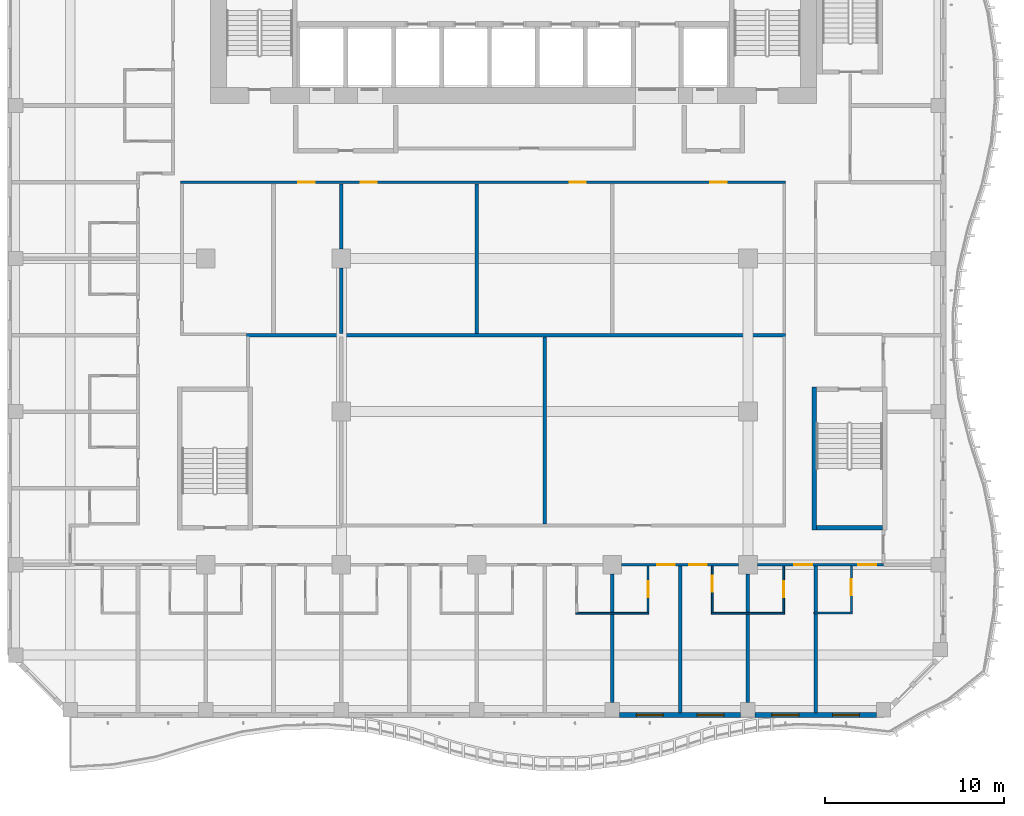
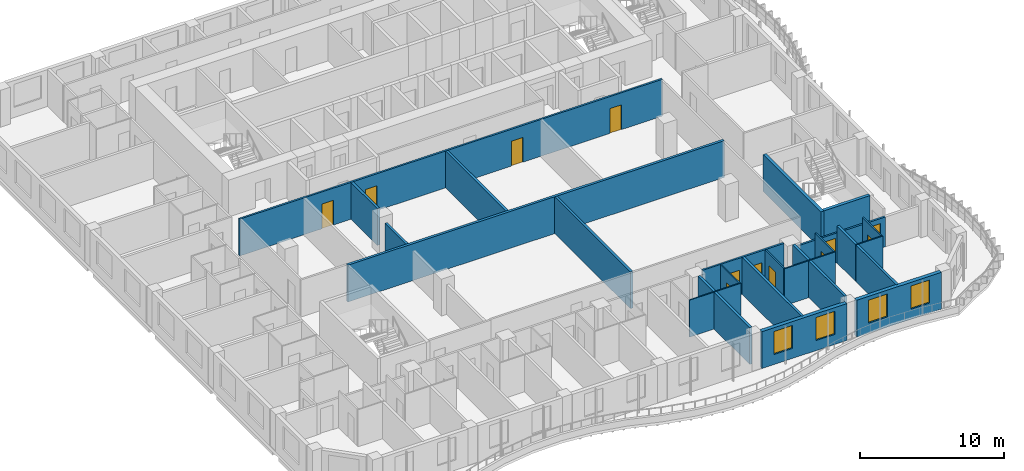
# One storey, part 5 of 22: 26 walls, 12 doors, 4 windows, 16 openings.
"""IFC4 building model written with IfcOpenShell, lengths in metres."""

from ifc_helpers import new_model, si_unit, direction, frame, frame_2d, origin, place, context, subcontext, project, spatial, rectangle, extrude, source, transform, mapped, material, layer, layer_set, type_object, element, fill, save


model = new_model("IFC4")

# Units and contexts
model_context = context("Model", 3, precision=1e-05, world=origin(), true_north=direction((0.0, 1.0)))
body_context = subcontext(model_context, "Body", "Model", "MODEL_VIEW")
ifc_project = project(units=[si_unit("LENGTHUNIT", "METRE"), si_unit("AREAUNIT", "SQUARE_METRE"), si_unit("VOLUMEUNIT", "CUBIC_METRE"), si_unit("PLANEANGLEUNIT", "RADIAN"), si_unit("MASSUNIT", "GRAM", prefix="KILO")], contexts=[model_context])

# Site, building, storey
site_placement = place(None, origin())
site = spatial("IfcSite", under=ifc_project, at=site_placement, CompositionType="ELEMENT")
building_placement = place(site_placement, origin())
building = spatial("IfcBuilding", under=site, at=building_placement, Name="Kilnfold Tower and Market Hall", CompositionType="ELEMENT")
storey_placement = place(building_placement, frame((0.0, 0.0, 171.89990234375)))
storey = spatial("IfcBuildingStorey", under=building, at=storey_placement, Name="L40", CompositionType="ELEMENT", Elevation=171.89990234375)

# Wall, openings, doors
ifc_material_1 = material(Name="Gypsum board on steel studs", Category="steel")
ifc_layer_1 = layer(ifc_material_1, 0.14990234375)
ifc_layer_set_1 = layer_set([ifc_layer_1], Name="Gypsum board on steel studs")
wall_type_1 = type_object("IfcWallType", Name="WALL CORRIDOR 150", PredefinedType="PARTITIONING", material=ifc_layer_set_1)
wall_1_placement = place(storey_placement, frame((7.10791015625, -17.699951171875, 0.0), z_axis=(0.0, 0.0, 1.0), x_axis=(1.0, 0.0, 0.0)))
wall_1 = element("IfcWall", 1, at=wall_1_placement, inside=storey, type_object=wall_type_1, Name="Partition LY26.5", PredefinedType="PARTITIONING", context=body_context, shape_type="SweptSolid", body=[
    extrude(rectangle(XDim=6.5341796875, YDim=0.14990234375, at=frame_2d((3.26708984375, 0.0))), origin(), (0.0, 0.0, 1.0), 3.1201171875),
])
opening_1_placement = place(wall_1_placement, frame((1.97412109375, 0.0, 0.0)))
opening_1 = element("IfcOpeningElement", 2, at=opening_1_placement, cuts=wall_1, Name="Opening D1", PredefinedType="OPENING", context=body_context, shape_type="SweptSolid", body=[
    extrude(rectangle(XDim=1.0, YDim=2.10009765625, at=frame_2d((0.5, 1.050048828125))), frame((0.0, 0.0849609375, 0.0), z_axis=(0.0, -1.0, 0.0), x_axis=(1.0, 0.0, 0.0)), (0.0, 0.0, 1.0), 0.169921875),
])
opening_2_placement = place(wall_1_placement, frame((3.76611328125, 0.0, 0.0)))
opening_2 = element("IfcOpeningElement", 3, at=opening_2_placement, cuts=wall_1, Name="Opening D1", PredefinedType="OPENING", context=body_context, shape_type="SweptSolid", body=[
    extrude(rectangle(XDim=1.0, YDim=2.10009765625, at=frame_2d((0.5, 1.050048828125))), frame((0.0, 0.0849609375, 0.0), z_axis=(0.0, -1.0, 0.0), x_axis=(1.0, 0.0, 0.0)), (0.0, 0.0, 1.0), 0.169921875),
])
ifc_material_2 = material(Name="Timber veneer door leaf in steel frame", Category="steel")
door_type_1 = type_object("IfcDoorType", Name="DOOR ENTRY 1000 X2100", OperationType="NOTDEFINED", PredefinedType="DOOR", material=ifc_material_2)
door_1_placement = place(opening_1_placement, origin())
door_1 = element("IfcDoor", 4, at=door_1_placement, inside=storey, type_object=door_type_1, Name="Door D1", OperationType="SINGLE_SWING_RIGHT", OverallHeight=2.10009765625, OverallWidth=1.0, PredefinedType="DOOR", context=body_context, shape_type="SweptSolid", body=[
    extrude(rectangle(XDim=1.0, YDim=2.10009765625, at=frame_2d((0.5, 1.050048828125))), frame((0.0, 0.02490234375, 0.0), z_axis=(0.0, -1.0, 0.0), x_axis=(1.0, 0.0, 0.0)), (0.0, 0.0, 1.0), 0.050048828125),
])
fill(opening_1, door_1)
door_2_placement = place(opening_2_placement, origin())
door_2 = element("IfcDoor", 5, at=door_2_placement, inside=storey, type_object=door_type_1, Name="Door D1", OperationType="SINGLE_SWING_RIGHT", OverallHeight=2.10009765625, OverallWidth=1.0, PredefinedType="DOOR", context=body_context, shape_type="SweptSolid", body=[
    extrude(rectangle(XDim=1.0, YDim=2.10009765625, at=frame_2d((0.5, 1.050048828125))), frame((0.0, 0.02490234375, 0.0), z_axis=(0.0, -1.0, 0.0), x_axis=(1.0, 0.0, 0.0)), (0.0, 0.0, 1.0), 0.050048828125),
])
fill(opening_2, door_2)

wall_2_placement = place(storey_placement, frame((14.69189453125, -17.699951171875, 0.0), z_axis=(0.0, 0.0, 1.0), x_axis=(1.0, 0.0, 0.0)))
wall_2 = element("IfcWall", 6, at=wall_2_placement, inside=storey, type_object=wall_type_1, Name="Partition LY26.6", PredefinedType="PARTITIONING", context=body_context, shape_type="SweptSolid", body=[
    extrude(rectangle(XDim=7.05810546875, YDim=0.14990234375, at=frame_2d((3.529052734375, 0.0))), origin(), (0.0, 0.0, 1.0), 2.52001953125),
])
opening_3_placement = place(wall_2_placement, frame((2.076904296875, 0.0, 0.0)))
opening_3 = element("IfcOpeningElement", 7, at=opening_3_placement, cuts=wall_2, Name="Opening D1", PredefinedType="OPENING", context=body_context, shape_type="SweptSolid", body=[
    extrude(rectangle(XDim=1.0, YDim=2.10009765625, at=frame_2d((0.5, 1.050048828125))), frame((0.0, 0.0849609375, 0.0), z_axis=(0.0, -1.0, 0.0), x_axis=(1.0, 0.0, 0.0)), (0.0, 0.0, 1.0), 0.169921875),
])
opening_4_placement = place(wall_2_placement, frame((5.656982421875, 0.0, 0.0)))
opening_4 = element("IfcOpeningElement", 8, at=opening_4_placement, cuts=wall_2, Name="Opening D1", PredefinedType="OPENING", context=body_context, shape_type="SweptSolid", body=[
    extrude(rectangle(XDim=1.0, YDim=2.10009765625, at=frame_2d((0.5, 1.050048828125))), frame((0.0, 0.0849609375, 0.0), z_axis=(0.0, -1.0, 0.0), x_axis=(1.0, 0.0, 0.0)), (0.0, 0.0, 1.0), 0.169921875),
])
door_3_placement = place(opening_3_placement, origin())
door_3 = element("IfcDoor", 9, at=door_3_placement, inside=storey, type_object=door_type_1, Name="Door D1", OperationType="SINGLE_SWING_LEFT", OverallHeight=2.10009765625, OverallWidth=1.0, PredefinedType="DOOR", context=body_context, shape_type="SweptSolid", body=[
    extrude(rectangle(XDim=1.0, YDim=2.10009765625, at=frame_2d((0.5, 1.050048828125))), frame((0.0, 0.02490234375, 0.0), z_axis=(0.0, -1.0, 0.0), x_axis=(1.0, 0.0, 0.0)), (0.0, 0.0, 1.0), 0.050048828125),
])
fill(opening_3, door_3)
door_4_placement = place(opening_4_placement, origin())
door_4 = element("IfcDoor", 10, at=door_4_placement, inside=storey, type_object=door_type_1, Name="Door D1", OperationType="SINGLE_SWING_LEFT", OverallHeight=2.10009765625, OverallWidth=1.0, PredefinedType="DOOR", context=body_context, shape_type="SweptSolid", body=[
    extrude(rectangle(XDim=1.0, YDim=2.10009765625, at=frame_2d((0.5, 1.050048828125))), frame((0.0, 0.02490234375, 0.0), z_axis=(0.0, -1.0, 0.0), x_axis=(1.0, 0.0, 0.0)), (0.0, 0.0, 1.0), 0.050048828125),
])
fill(opening_4, door_4)

wall_3_placement = place(storey_placement, frame((-17.574951171875, 3.699951171875, 0.0), z_axis=(0.0, 0.0, 1.0), x_axis=(1.0, 0.0, 0.0)))
wall_3 = element("IfcWall", 11, at=wall_3_placement, inside=storey, type_object=wall_type_1, Name="Partition LY26.42", PredefinedType="PARTITIONING", context=body_context, shape_type="SweptSolid", body=[
    extrude(rectangle(XDim=33.849853515625, YDim=0.14990234375, at=frame_2d((16.9248046875, 0.0))), origin(), (0.0, 0.0, 1.0), 3.1201171875),
])
opening_5_placement = place(wall_3_placement, frame((6.595947265625, 0.0, 0.0)))
opening_5 = element("IfcOpeningElement", 12, at=opening_5_placement, cuts=wall_3, Name="Opening D2", PredefinedType="OPENING", context=body_context, shape_type="SweptSolid", body=[
    extrude(rectangle(XDim=0.89990234375, YDim=2.10009765625, at=frame_2d((0.449951171875, 1.050048828125))), frame((0.0, 0.0849609375, 0.0), z_axis=(0.0, -1.0, 0.0), x_axis=(1.0, 0.0, 0.0)), (0.0, 0.0, 1.0), 0.169921875),
])
opening_6_placement = place(wall_3_placement, frame((10.08203125, 0.0, 0.0)))
opening_6 = element("IfcOpeningElement", 13, at=opening_6_placement, cuts=wall_3, Name="Opening D2", PredefinedType="OPENING", context=body_context, shape_type="SweptSolid", body=[
    extrude(rectangle(XDim=0.89990234375, YDim=2.10009765625, at=frame_2d((0.449951171875, 1.050048828125))), frame((0.0, 0.0849609375, 0.0), z_axis=(0.0, -1.0, 0.0), x_axis=(1.0, 0.0, 0.0)), (0.0, 0.0, 1.0), 0.169921875),
])
opening_7_placement = place(wall_3_placement, frame((21.76708984375, 0.0, 0.0)))
opening_7 = element("IfcOpeningElement", 14, at=opening_7_placement, cuts=wall_3, Name="Opening D2", PredefinedType="OPENING", context=body_context, shape_type="SweptSolid", body=[
    extrude(rectangle(XDim=0.89990234375, YDim=2.10009765625, at=frame_2d((0.449951171875, 1.050048828125))), frame((0.0, 0.0849609375, 0.0), z_axis=(0.0, -1.0, 0.0), x_axis=(1.0, 0.0, 0.0)), (0.0, 0.0, 1.0), 0.169921875),
])
opening_8_placement = place(wall_3_placement, frame((29.64892578125, 0.0, 0.0)))
opening_8 = element("IfcOpeningElement", 15, at=opening_8_placement, cuts=wall_3, Name="Opening D2", PredefinedType="OPENING", context=body_context, shape_type="SweptSolid", body=[
    extrude(rectangle(XDim=0.89990234375, YDim=2.10009765625, at=frame_2d((0.449951171875, 1.050048828125))), frame((0.0, 0.0849609375, 0.0), z_axis=(0.0, -1.0, 0.0), x_axis=(1.0, 0.0, 0.0)), (0.0, 0.0, 1.0), 0.169921875),
])
ifc_material_3 = material(Name="Timber veneer door leaf in steel frame", Category="steel")
door_type_2 = type_object("IfcDoorType", Name="DOOR ROOM 900 X2100", OperationType="NOTDEFINED", PredefinedType="DOOR", material=ifc_material_3)
door_5_placement = place(opening_5_placement, origin())
door_5 = element("IfcDoor", 16, at=door_5_placement, inside=storey, type_object=door_type_2, Name="Door D2", OperationType="SINGLE_SWING_LEFT", OverallHeight=2.10009765625, OverallWidth=0.89990234375, PredefinedType="DOOR", context=body_context, shape_type="SweptSolid", body=[
    extrude(rectangle(XDim=0.89990234375, YDim=2.10009765625, at=frame_2d((0.449951171875, 1.050048828125))), frame((0.0, 0.02490234375, 0.0), z_axis=(0.0, -1.0, 0.0), x_axis=(1.0, 0.0, 0.0)), (0.0, 0.0, 1.0), 0.050048828125),
])
fill(opening_5, door_5)
door_6_placement = place(opening_6_placement, origin())
door_6 = element("IfcDoor", 17, at=door_6_placement, inside=storey, type_object=door_type_2, Name="Door D2", OperationType="SINGLE_SWING_RIGHT", OverallHeight=2.10009765625, OverallWidth=0.89990234375, PredefinedType="DOOR", context=body_context, shape_type="SweptSolid", body=[
    extrude(rectangle(XDim=0.89990234375, YDim=2.10009765625, at=frame_2d((0.449951171875, 1.050048828125))), frame((0.0, 0.02490234375, 0.0), z_axis=(0.0, -1.0, 0.0), x_axis=(1.0, 0.0, 0.0)), (0.0, 0.0, 1.0), 0.050048828125),
])
fill(opening_6, door_6)
door_7_placement = place(opening_7_placement, origin())
door_7 = element("IfcDoor", 18, at=door_7_placement, inside=storey, type_object=door_type_2, Name="Door D2", OperationType="SINGLE_SWING_LEFT", OverallHeight=2.10009765625, OverallWidth=0.89990234375, PredefinedType="DOOR", context=body_context, shape_type="SweptSolid", body=[
    extrude(rectangle(XDim=0.89990234375, YDim=2.10009765625, at=frame_2d((0.449951171875, 1.050048828125))), frame((0.0, 0.02490234375, 0.0), z_axis=(0.0, -1.0, 0.0), x_axis=(1.0, 0.0, 0.0)), (0.0, 0.0, 1.0), 0.050048828125),
])
fill(opening_7, door_7)
door_8_placement = place(opening_8_placement, origin())
door_8 = element("IfcDoor", 19, at=door_8_placement, inside=storey, type_object=door_type_2, Name="Door D2", OperationType="SINGLE_SWING_RIGHT", OverallHeight=2.10009765625, OverallWidth=0.89990234375, PredefinedType="DOOR", context=body_context, shape_type="SweptSolid", body=[
    extrude(rectangle(XDim=0.89990234375, YDim=2.10009765625, at=frame_2d((0.449951171875, 1.050048828125))), frame((0.0, 0.02490234375, 0.0), z_axis=(0.0, -1.0, 0.0), x_axis=(1.0, 0.0, 0.0)), (0.0, 0.0, 1.0), 0.050048828125),
])
fill(opening_8, door_8)

# Wall
ifc_material_4 = material(Name="Gypsum board on steel studs", Category="steel")
ifc_layer_2 = layer(ifc_material_4, 0.10009765625)
ifc_layer_set_2 = layer_set([ifc_layer_2], Name="Gypsum board on steel studs")
wall_type_2 = type_object("IfcWallType", Name="WALL PARTITION 100", PredefinedType="PARTITIONING", material=ifc_layer_set_2)
wall_4_placement = place(storey_placement, frame((4.532958984375, -20.402099609375, 0.0), z_axis=(0.0, 0.0, 1.0), x_axis=(1.0, 0.0, 0.0)))
element("IfcWall", 20, at=wall_4_placement, inside=storey, type_object=wall_type_2, Name="Partition LY26.74", PredefinedType="PARTITIONING", context=body_context, shape_type="SweptSolid", body=[
    extrude(rectangle(XDim=4.10009765625, YDim=0.10009765625, at=frame_2d((2.050048828125, 0.0))), origin(), (0.0, 0.0, 1.0), 3.1201171875),
])

# Wall, opening, door
wall_5_placement = place(storey_placement, frame((8.5830078125, -17.777099609375, 0.0), z_axis=(0.0, 0.0, 1.0), x_axis=(0.0, -1.0, 0.0)))
wall_5 = element("IfcWall", 21, at=wall_5_placement, inside=storey, type_object=wall_type_2, Name="Partition LY26.77", PredefinedType="PARTITIONING", context=body_context, shape_type="SweptSolid", body=[
    extrude(rectangle(XDim=2.574951171875, YDim=0.10009765625, at=frame_2d((1.28759765625, 0.0))), origin(), (0.0, 0.0, 1.0), 3.1201171875),
])
opening_9_placement = place(wall_5_placement, frame((0.8369140625, 0.0, 0.0)))
opening_9 = element("IfcOpeningElement", 22, at=opening_9_placement, cuts=wall_5, Name="Opening D3", PredefinedType="OPENING", context=body_context, shape_type="SweptSolid", body=[
    extrude(rectangle(XDim=0.89990234375, YDim=2.10009765625, at=frame_2d((0.449951171875, 1.050048828125))), frame((0.0, 0.06005859375, 0.0), z_axis=(0.0, -1.0, 0.0), x_axis=(1.0, 0.0, 0.0)), (0.0, 0.0, 1.0), 0.1201171875),
])
ifc_material_5 = material(Name="Timber veneer door leaf in steel frame", Category="steel")
door_type_3 = type_object("IfcDoorType", Name="DOOR WC 900 X2100", OperationType="NOTDEFINED", PredefinedType="DOOR", material=ifc_material_5)
door_9_placement = place(opening_9_placement, origin())
door_9 = element("IfcDoor", 23, at=door_9_placement, inside=storey, type_object=door_type_3, Name="Door D3", OperationType="SINGLE_SWING_LEFT", OverallHeight=2.10009765625, OverallWidth=0.89990234375, PredefinedType="DOOR", context=body_context, shape_type="SweptSolid", body=[
    extrude(rectangle(XDim=0.89990234375, YDim=2.10009765625, at=frame_2d((0.449951171875, 1.050048828125))), frame((0.0, 0.02490234375, 0.0), z_axis=(0.0, -1.0, 0.0), x_axis=(1.0, 0.0, 0.0)), (0.0, 0.0, 1.0), 0.050048828125),
])
fill(opening_9, door_9)

wall_6_placement = place(storey_placement, frame((12.1669921875, -20.35205078125, 0.0), z_axis=(0.0, 0.0, 1.0), x_axis=(0.0, 1.0, 0.0)))
wall_6 = element("IfcWall", 24, at=wall_6_placement, inside=storey, type_object=wall_type_2, Name="Partition LY26.79", PredefinedType="PARTITIONING", context=body_context, shape_type="SweptSolid", body=[
    extrude(rectangle(XDim=2.574951171875, YDim=0.10009765625, at=frame_2d((1.28759765625, 0.0))), origin(), (0.0, 0.0, 1.0), 3.1201171875),
])
opening_10_placement = place(wall_6_placement, frame((1.156005859375, 0.0, 0.0)))
opening_10 = element("IfcOpeningElement", 25, at=opening_10_placement, cuts=wall_6, Name="Opening D3", PredefinedType="OPENING", context=body_context, shape_type="SweptSolid", body=[
    extrude(rectangle(XDim=0.89990234375, YDim=2.10009765625, at=frame_2d((0.449951171875, 1.050048828125))), frame((0.0, 0.06005859375, 0.0), z_axis=(0.0, -1.0, 0.0), x_axis=(1.0, 0.0, 0.0)), (0.0, 0.0, 1.0), 0.1201171875),
])
door_10_placement = place(opening_10_placement, origin())
door_10 = element("IfcDoor", 26, at=door_10_placement, inside=storey, type_object=door_type_3, Name="Door D3", OperationType="SINGLE_SWING_RIGHT", OverallHeight=2.10009765625, OverallWidth=0.89990234375, PredefinedType="DOOR", context=body_context, shape_type="SweptSolid", body=[
    extrude(rectangle(XDim=0.89990234375, YDim=2.10009765625, at=frame_2d((0.449951171875, 1.050048828125))), frame((0.0, 0.02490234375, 0.0), z_axis=(0.0, -1.0, 0.0), x_axis=(1.0, 0.0, 0.0)), (0.0, 0.0, 1.0), 0.050048828125),
])
fill(opening_10, door_10)

# Wall
wall_7_placement = place(storey_placement, frame((12.116943359375, -20.402099609375, 0.0), z_axis=(0.0, 0.0, 1.0), x_axis=(1.0, 0.0, 0.0)))
element("IfcWall", 27, at=wall_7_placement, inside=storey, type_object=wall_type_2, Name="Partition LY26.80", PredefinedType="PARTITIONING", context=body_context, shape_type="SweptSolid", body=[
    extrude(rectangle(XDim=4.10009765625, YDim=0.10009765625, at=frame_2d((2.050048828125, 0.0))), origin(), (0.0, 0.0, 1.0), 3.1201171875),
])

# Wall, opening, door
wall_8_placement = place(storey_placement, frame((16.1669921875, -17.777099609375, 0.0), z_axis=(0.0, 0.0, 1.0), x_axis=(0.0, -1.0, 0.0)))
wall_8 = element("IfcWall", 28, at=wall_8_placement, inside=storey, type_object=wall_type_2, Name="Partition LY26.83", PredefinedType="PARTITIONING", context=body_context, shape_type="SweptSolid", body=[
    extrude(rectangle(XDim=2.574951171875, YDim=0.10009765625, at=frame_2d((1.28759765625, 0.0))), origin(), (0.0, 0.0, 1.0), 3.1201171875),
])
opening_11_placement = place(wall_8_placement, frame((0.8369140625, 0.0, 0.0)))
opening_11 = element("IfcOpeningElement", 29, at=opening_11_placement, cuts=wall_8, Name="Opening D3", PredefinedType="OPENING", context=body_context, shape_type="SweptSolid", body=[
    extrude(rectangle(XDim=0.89990234375, YDim=2.10009765625, at=frame_2d((0.449951171875, 1.050048828125))), frame((0.0, 0.06005859375, 0.0), z_axis=(0.0, -1.0, 0.0), x_axis=(1.0, 0.0, 0.0)), (0.0, 0.0, 1.0), 0.1201171875),
])
door_11_placement = place(opening_11_placement, origin())
door_11 = element("IfcDoor", 30, at=door_11_placement, inside=storey, type_object=door_type_3, Name="Door D3", OperationType="SINGLE_SWING_LEFT", OverallHeight=2.10009765625, OverallWidth=0.89990234375, PredefinedType="DOOR", context=body_context, shape_type="SweptSolid", body=[
    extrude(rectangle(XDim=0.89990234375, YDim=2.10009765625, at=frame_2d((0.449951171875, 1.050048828125))), frame((0.0, 0.02490234375, 0.0), z_axis=(0.0, -1.0, 0.0), x_axis=(1.0, 0.0, 0.0)), (0.0, 0.0, 1.0), 0.050048828125),
])
fill(opening_11, door_11)

# Wall
wall_9_placement = place(storey_placement, frame((17.85888671875, -20.387939453125, 0.0), z_axis=(0.0, 0.0, 1.0), x_axis=(1.0, 0.0, 0.0)))
element("IfcWall", 31, at=wall_9_placement, inside=storey, type_object=wall_type_2, Name="Partition LY26.86", PredefinedType="PARTITIONING", context=body_context, shape_type="SweptSolid", body=[
    extrude(rectangle(XDim=2.150146484375, YDim=0.10009765625, at=frame_2d((1.0751953125, 0.0))), origin(), (0.0, 0.0, 1.0), 3.1201171875),
])

# Wall, opening, door
wall_10_placement = place(storey_placement, frame((19.958984375, -17.777099609375, 0.0), z_axis=(0.0, 0.0, 1.0), x_axis=(0.0, -1.0, 0.0)))
wall_10 = element("IfcWall", 32, at=wall_10_placement, inside=storey, type_object=wall_type_2, Name="Partition LY26.87", PredefinedType="PARTITIONING", context=body_context, shape_type="SweptSolid", body=[
    extrude(rectangle(XDim=2.560791015625, YDim=0.10009765625, at=frame_2d((1.2802734375, 0.0))), origin(), (0.0, 0.0, 1.0), 3.1201171875),
])
opening_12_placement = place(wall_10_placement, frame((0.72509765625, 0.0, 0.0)))
opening_12 = element("IfcOpeningElement", 33, at=opening_12_placement, cuts=wall_10, Name="Opening D3", PredefinedType="OPENING", context=body_context, shape_type="SweptSolid", body=[
    extrude(rectangle(XDim=0.89990234375, YDim=2.10009765625, at=frame_2d((0.449951171875, 1.050048828125))), frame((0.0, 0.06005859375, 0.0), z_axis=(0.0, -1.0, 0.0), x_axis=(1.0, 0.0, 0.0)), (0.0, 0.0, 1.0), 0.1201171875),
])
door_12_placement = place(opening_12_placement, origin())
door_12 = element("IfcDoor", 34, at=door_12_placement, inside=storey, type_object=door_type_3, Name="Door D3", OperationType="SINGLE_SWING_RIGHT", OverallHeight=2.10009765625, OverallWidth=0.89990234375, PredefinedType="DOOR", context=body_context, shape_type="SweptSolid", body=[
    extrude(rectangle(XDim=0.89990234375, YDim=2.10009765625, at=frame_2d((0.449951171875, 1.050048828125))), frame((0.0, 0.02490234375, 0.0), z_axis=(0.0, -1.0, 0.0), x_axis=(1.0, 0.0, 0.0)), (0.0, 0.0, 1.0), 0.050048828125),
])
fill(opening_12, door_12)

# Walls
ifc_material_6 = material(Name="Gypsum board on steel studs", Category="steel")
ifc_layer_3 = layer(ifc_material_6, 0.199951171875)
ifc_layer_set_3 = layer_set([ifc_layer_3], Name="Gypsum board on steel studs")
wall_type_3 = type_object("IfcWallType", Name="WALL PARTY 200", PredefinedType="PARTITIONING", material=ifc_layer_set_3)
wall_11_placement = place(storey_placement, frame((6.5830078125, -25.39990234375, 0.0), z_axis=(0.0, 0.0, 1.0), x_axis=(0.0, 1.0, 0.0)))
element("IfcWall", 35, at=wall_11_placement, inside=storey, type_object=wall_type_3, Name="Partition LY26.75", PredefinedType="PARTITIONING", context=body_context, shape_type="SweptSolid", body=[
    extrude(rectangle(XDim=4.947998046875, YDim=0.199951171875, at=frame_2d((2.47412109375, 0.0))), origin(), (0.0, 0.0, 1.0), 3.1201171875),
])
wall_12_placement = place(storey_placement, frame((6.5830078125, -20.35205078125, 0.0), z_axis=(0.0, 0.0, 1.0), x_axis=(0.0, 1.0, 0.0)))
element("IfcWall", 36, at=wall_12_placement, inside=storey, type_object=wall_type_3, Name="Partition LY26.76", PredefinedType="PARTITIONING", context=body_context, shape_type="SweptSolid", body=[
    extrude(rectangle(XDim=2.14013671875, YDim=0.199951171875, at=frame_2d((1.070068359375, 0.0))), origin(), (0.0, 0.0, 1.0), 3.1201171875),
])
wall_13_placement = place(storey_placement, frame((10.375, -26.0, 0.0), z_axis=(0.0, 0.0, 1.0), x_axis=(0.0, 1.0, 0.0)))
element("IfcWall", 37, at=wall_13_placement, inside=storey, type_object=wall_type_3, Name="Partition LY26.78", PredefinedType="PARTITIONING", context=body_context, shape_type="SweptSolid", body=[
    extrude(rectangle(XDim=8.222900390625, YDim=0.199951171875, at=frame_2d((4.111328125, 0.0))), origin(), (0.0, 0.0, 1.0), 3.1201171875),
])
wall_14_placement = place(storey_placement, frame((14.1669921875, -25.39990234375, 0.0), z_axis=(0.0, 0.0, 1.0), x_axis=(0.0, 1.0, 0.0)))
element("IfcWall", 38, at=wall_14_placement, inside=storey, type_object=wall_type_3, Name="Partition LY26.81", PredefinedType="PARTITIONING", context=body_context, shape_type="SweptSolid", body=[
    extrude(rectangle(XDim=4.947998046875, YDim=0.199951171875, at=frame_2d((2.47412109375, 0.0))), origin(), (0.0, 0.0, 1.0), 3.1201171875),
])
wall_15_placement = place(storey_placement, frame((14.1669921875, -20.35205078125, 0.0), z_axis=(0.0, 0.0, 1.0), x_axis=(0.0, 1.0, 0.0)))
element("IfcWall", 39, at=wall_15_placement, inside=storey, type_object=wall_type_3, Name="Partition LY26.82", PredefinedType="PARTITIONING", context=body_context, shape_type="SweptSolid", body=[
    extrude(rectangle(XDim=2.14013671875, YDim=0.199951171875, at=frame_2d((1.070068359375, 0.0))), origin(), (0.0, 0.0, 1.0), 3.1201171875),
])
wall_16_placement = place(storey_placement, frame((17.958984375, -26.0, 0.0), z_axis=(0.0, 0.0, 1.0), x_axis=(0.0, 1.0, 0.0)))
element("IfcWall", 40, at=wall_16_placement, inside=storey, type_object=wall_type_3, Name="Partition LY26.84", PredefinedType="PARTITIONING", context=body_context, shape_type="SweptSolid", body=[
    extrude(rectangle(XDim=5.572021484375, YDim=0.199951171875, at=frame_2d((2.7861328125, 0.0))), origin(), (0.0, 0.0, 1.0), 3.1201171875),
])
wall_17_placement = place(storey_placement, frame((17.958984375, -20.347900390625, 0.0), z_axis=(0.0, 0.0, 1.0), x_axis=(0.0, 1.0, 0.0)))
element("IfcWall", 41, at=wall_17_placement, inside=storey, type_object=wall_type_3, Name="Partition LY26.85", PredefinedType="PARTITIONING", context=body_context, shape_type="SweptSolid", body=[
    extrude(rectangle(XDim=2.57080078125, YDim=0.199951171875, at=frame_2d((1.285400390625, 0.0))), origin(), (0.0, 0.0, 1.0), 3.1201171875),
])
wall_18_placement = place(storey_placement, frame((-13.873046875, -4.843017578125, 0.0), z_axis=(0.0, 0.0, 1.0), x_axis=(1.0, 0.0, 0.0)))
element("IfcWall", 42, at=wall_18_placement, inside=storey, type_object=wall_type_3, Name="Partition LY26.135", PredefinedType="PARTITIONING", context=body_context, shape_type="SweptSolid", body=[
    extrude(rectangle(XDim=30.14599609375, YDim=0.199951171875, at=frame_2d((15.072998046875, 0.0))), origin(), (0.0, 0.0, 1.0), 3.1201171875),
])
wall_19_placement = place(storey_placement, frame((-8.5830078125, -0.037109375, 0.0), z_axis=(0.0, 0.0, 1.0), x_axis=(0.0, 1.0, 0.0)))
element("IfcWall", 43, at=wall_19_placement, inside=storey, type_object=wall_type_3, Name="Partition LY26.136", PredefinedType="PARTITIONING", context=body_context, shape_type="SweptSolid", body=[
    extrude(rectangle(XDim=3.66015625, YDim=0.199951171875, at=frame_2d((1.830078125, 0.0))), origin(), (0.0, 0.0, 1.0), 3.1201171875),
])
wall_20_placement = place(storey_placement, frame((-8.5830078125, -4.742919921875, 0.0), z_axis=(0.0, 0.0, 1.0), x_axis=(0.0, 1.0, 0.0)))
element("IfcWall", 44, at=wall_20_placement, inside=storey, type_object=wall_type_3, Name="Partition LY26.137", PredefinedType="PARTITIONING", context=body_context, shape_type="SweptSolid", body=[
    extrude(rectangle(XDim=3.656005859375, YDim=0.199951171875, at=frame_2d((1.828125, 0.0))), origin(), (0.0, 0.0, 1.0), 2.52001953125),
])
wall_21_placement = place(storey_placement, frame((-1.0, -4.742919921875, 0.0), z_axis=(0.0, 0.0, 1.0), x_axis=(0.0, 1.0, 0.0)))
element("IfcWall", 45, at=wall_21_placement, inside=storey, type_object=wall_type_3, Name="Partition LY26.138", PredefinedType="PARTITIONING", context=body_context, shape_type="SweptSolid", body=[
    extrude(rectangle(XDim=8.365966796875, YDim=0.199951171875, at=frame_2d((4.18310546875, 0.0))), origin(), (0.0, 0.0, 1.0), 3.1201171875),
])
wall_22_placement = place(storey_placement, frame((2.7919921875, -15.423095703125, 0.0), z_axis=(0.0, 0.0, 1.0), x_axis=(0.0, 1.0, 0.0)))
element("IfcWall", 46, at=wall_22_placement, inside=storey, type_object=wall_type_3, Name="Partition LY26.142", PredefinedType="PARTITIONING", context=body_context, shape_type="SweptSolid", body=[
    extrude(rectangle(XDim=10.47998046875, YDim=0.199951171875, at=frame_2d((5.239990234375, 0.0))), origin(), (0.0, 0.0, 1.0), 3.1201171875),
])
ifc_material_7 = material(Name="Concrete C70", Category="concrete")
ifc_layer_4 = layer(ifc_material_7, 0.25)
ifc_layer_set_4 = layer_set([ifc_layer_4], Name="Concrete C70")
wall_type_4 = type_object("IfcWallType", Name="CORE WALL 250 C70", PredefinedType="SHEAR", material=ifc_layer_set_4)
shared_shape_1 = source(origin(), body_context, "Body", "SweptSolid", [
    extrude(rectangle(XDim=3.699951171875, YDim=0.25, at=frame_2d((1.85009765625, 0.0))), origin(), (0.0, 0.0, 1.0), 3.1201171875),
])
wall_23_placement = place(storey_placement, frame((18.0, -15.625, 0.0), z_axis=(0.0, 0.0, 1.0), x_axis=(1.0, 0.0, 0.0)))
element("IfcWall", 47, at=wall_23_placement, inside=storey, type_object=wall_type_4, Name="Stair enclosure ST4", PredefinedType="SHEAR", context=body_context, shape_type="MappedRepresentation", body=[
    mapped(shared_shape_1, transform((0.0, 0.0, 0.0))),
])
shared_shape_2 = source(origin(), body_context, "Body", "SweptSolid", [
    extrude(rectangle(XDim=8.0, YDim=0.25, at=frame_2d((4.0, 0.0))), origin(), (0.0, 0.0, 1.0), 3.1201171875),
])
wall_24_placement = place(storey_placement, frame((17.875, -15.75, 0.0), z_axis=(0.0, 0.0, 1.0), x_axis=(0.0, 1.0, 0.0)))
element("IfcWall", 48, at=wall_24_placement, inside=storey, type_object=wall_type_4, Name="Stair enclosure ST4", PredefinedType="SHEAR", context=body_context, shape_type="MappedRepresentation", body=[
    mapped(shared_shape_2, transform((0.0, 0.0, 0.0))),
])

# Wall, openings, windows
ifc_material_8 = material(Name="Precast concrete C50/60", Category="concrete")
ifc_layer_5 = layer(ifc_material_8, 0.300048828125)
ifc_layer_set_5 = layer_set([ifc_layer_5], Name="Precast concrete C50/60")
wall_type_5 = type_object("IfcWallType", Name="PRECAST WALL 300", PredefinedType="SOLIDWALL", material=ifc_layer_set_5)
shared_shape_3 = source(origin(), body_context, "Body", "SweptSolid", [
    extrude(rectangle(XDim=6.783447265625, YDim=0.300048828125, at=frame_2d((3.3916015625, 0.0))), origin(), (0.0, 0.0, 1.0), 3.1201171875),
])
wall_25_placement = place(storey_placement, frame((14.566650390625, -26.10009765625, 0.0), z_axis=(0.0, 0.0, 1.0), x_axis=(1.0, 0.0, 0.0)))
wall_25 = element("IfcWall", 49, at=wall_25_placement, inside=storey, type_object=wall_type_5, Name="External wall L40 S", PredefinedType="SOLIDWALL", context=body_context, shape_type="MappedRepresentation", body=[
    mapped(shared_shape_3, transform((0.0, 0.0, 0.0))),
])
opening_13_placement = place(wall_25_placement, frame((0.94580078125, 0.0, 0.85009765625)))
opening_13 = element("IfcOpeningElement", 50, at=opening_13_placement, cuts=wall_25, Name="Opening W4", PredefinedType="OPENING", context=body_context, shape_type="SweptSolid", body=[
    extrude(rectangle(XDim=1.5, YDim=1.949951171875, at=frame_2d((0.75, 0.97509765625))), frame((0.0, 0.16015625, 0.0), z_axis=(0.0, -1.0, 0.0), x_axis=(1.0, 0.0, 0.0)), (0.0, 0.0, 1.0), 0.320068359375),
])
opening_14_placement = place(wall_25_placement, frame((4.33740234375, 0.0, 0.85009765625)))
opening_14 = element("IfcOpeningElement", 51, at=opening_14_placement, cuts=wall_25, Name="Opening W4", PredefinedType="OPENING", context=body_context, shape_type="SweptSolid", body=[
    extrude(rectangle(XDim=1.5, YDim=1.949951171875, at=frame_2d((0.75, 0.97509765625))), frame((0.0, 0.16015625, 0.0), z_axis=(0.0, -1.0, 0.0), x_axis=(1.0, 0.0, 0.0)), (0.0, 0.0, 1.0), 0.320068359375),
])
ifc_material_9 = material(Name="Aluminium frame and double glazing", Category="aluminium")
window_type = type_object("IfcWindowType", Name="WINDOW W4 1500X1950", PartitioningType="SINGLE_PANEL", PredefinedType="WINDOW", material=ifc_material_9)
window_1_placement = place(opening_13_placement, origin())
window_1 = element("IfcWindow", 52, at=window_1_placement, inside=storey, type_object=window_type, Name="Window W4 L40 S-1", OverallHeight=1.949951171875, OverallWidth=1.5, PartitioningType="SINGLE_PANEL", PredefinedType="WINDOW", context=body_context, shape_type="SweptSolid", body=[
    extrude(rectangle(XDim=1.5, YDim=1.949951171875, at=frame_2d((0.75, 0.97509765625))), frame((0.0, 0.030029296875, 0.0), z_axis=(0.0, -1.0, 0.0), x_axis=(1.0, 0.0, 0.0)), (0.0, 0.0, 1.0), 0.06005859375),
])
fill(opening_13, window_1)
window_2_placement = place(opening_14_placement, origin())
window_2 = element("IfcWindow", 53, at=window_2_placement, inside=storey, type_object=window_type, Name="Window W4 L40 S-2", OverallHeight=1.949951171875, OverallWidth=1.5, PartitioningType="SINGLE_PANEL", PredefinedType="WINDOW", context=body_context, shape_type="SweptSolid", body=[
    extrude(rectangle(XDim=1.5, YDim=1.949951171875, at=frame_2d((0.75, 0.97509765625))), frame((0.0, 0.030029296875, 0.0), z_axis=(0.0, -1.0, 0.0), x_axis=(1.0, 0.0, 0.0)), (0.0, 0.0, 1.0), 0.06005859375),
])
fill(opening_14, window_2)

shared_shape_4 = source(origin(), body_context, "Body", "SweptSolid", [
    extrude(rectangle(XDim=6.783203125, YDim=0.300048828125, at=frame_2d((3.3916015625, 0.0))), origin(), (0.0, 0.0, 1.0), 3.1201171875),
])
wall_26_placement = place(storey_placement, frame((6.9833984375, -26.10009765625, 0.0), z_axis=(0.0, 0.0, 1.0), x_axis=(1.0, 0.0, 0.0)))
wall_26 = element("IfcWall", 54, at=wall_26_placement, inside=storey, type_object=wall_type_5, Name="External wall L40 S", PredefinedType="SOLIDWALL", context=body_context, shape_type="MappedRepresentation", body=[
    mapped(shared_shape_4, transform((0.0, 0.0, 0.0))),
])
opening_15_placement = place(wall_26_placement, frame((0.94580078125, 0.0, 0.85009765625)))
opening_15 = element("IfcOpeningElement", 55, at=opening_15_placement, cuts=wall_26, Name="Opening W4", PredefinedType="OPENING", context=body_context, shape_type="SweptSolid", body=[
    extrude(rectangle(XDim=1.5, YDim=1.949951171875, at=frame_2d((0.75, 0.97509765625))), frame((0.0, 0.16015625, 0.0), z_axis=(0.0, -1.0, 0.0), x_axis=(1.0, 0.0, 0.0)), (0.0, 0.0, 1.0), 0.320068359375),
])
opening_16_placement = place(wall_26_placement, frame((4.337646484375, 0.0, 0.85009765625)))
opening_16 = element("IfcOpeningElement", 56, at=opening_16_placement, cuts=wall_26, Name="Opening W4", PredefinedType="OPENING", context=body_context, shape_type="SweptSolid", body=[
    extrude(rectangle(XDim=1.5, YDim=1.949951171875, at=frame_2d((0.75, 0.97509765625))), frame((0.0, 0.16015625, 0.0), z_axis=(0.0, -1.0, 0.0), x_axis=(1.0, 0.0, 0.0)), (0.0, 0.0, 1.0), 0.320068359375),
])
window_3_placement = place(opening_15_placement, origin())
window_3 = element("IfcWindow", 57, at=window_3_placement, inside=storey, type_object=window_type, Name="Window W4 L40 S-1", OverallHeight=1.949951171875, OverallWidth=1.5, PartitioningType="SINGLE_PANEL", PredefinedType="WINDOW", context=body_context, shape_type="SweptSolid", body=[
    extrude(rectangle(XDim=1.5, YDim=1.949951171875, at=frame_2d((0.75, 0.97509765625))), frame((0.0, 0.030029296875, 0.0), z_axis=(0.0, -1.0, 0.0), x_axis=(1.0, 0.0, 0.0)), (0.0, 0.0, 1.0), 0.06005859375),
])
fill(opening_15, window_3)
window_4_placement = place(opening_16_placement, origin())
window_4 = element("IfcWindow", 58, at=window_4_placement, inside=storey, type_object=window_type, Name="Window W4 L40 S-2", OverallHeight=1.949951171875, OverallWidth=1.5, PartitioningType="SINGLE_PANEL", PredefinedType="WINDOW", context=body_context, shape_type="SweptSolid", body=[
    extrude(rectangle(XDim=1.5, YDim=1.949951171875, at=frame_2d((0.75, 0.97509765625))), frame((0.0, 0.030029296875, 0.0), z_axis=(0.0, -1.0, 0.0), x_axis=(1.0, 0.0, 0.0)), (0.0, 0.0, 1.0), 0.06005859375),
])
fill(opening_16, window_4)

save(model, "model.ifc")
